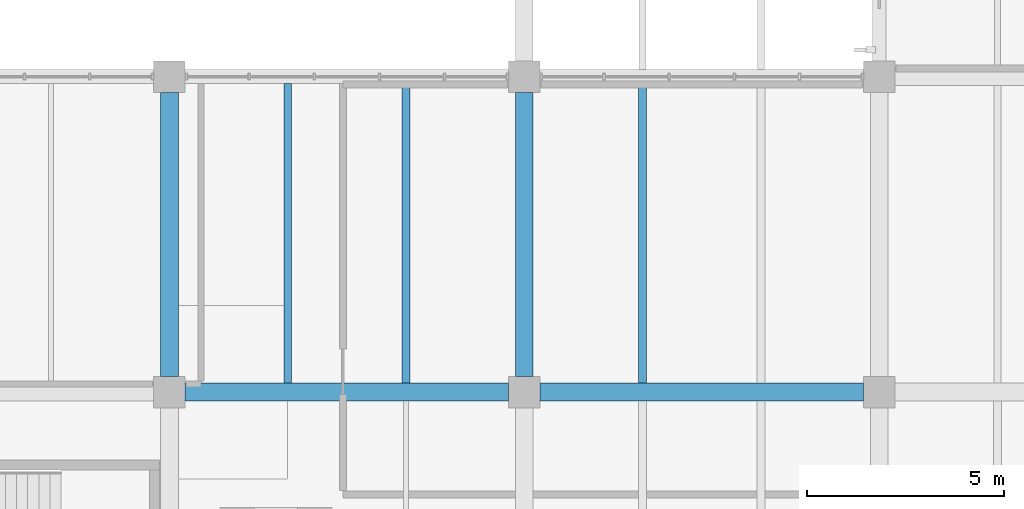
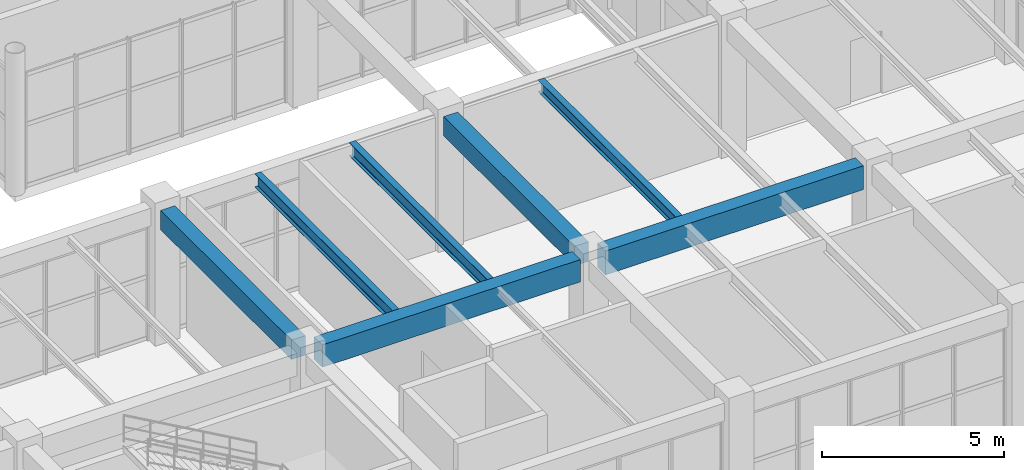
# One storey, part 17 of 178: 7 beams.
"""IFC4 building model written with IfcOpenShell, lengths in metres."""

from ifc_helpers import new_model, si_unit, derived_unit, direction, frame, origin, origin_2d, place, context, subcontext, project, spatial, rectangle, i_section, extrude, material, material_profile, profile_set, type_object, element, save


model = new_model("IFC4")

# Units and contexts
model_context = context("Model", 3, precision=1e-05, world=origin(), true_north=direction((0.0, 1.0)))
body_context = subcontext(model_context, "Body", "Model", "MODEL_VIEW")
ifc_project = project(units=[si_unit("LENGTHUNIT", "METRE"), si_unit("AREAUNIT", "SQUARE_METRE"), si_unit("VOLUMEUNIT", "CUBIC_METRE"), si_unit("PLANEANGLEUNIT", "RADIAN"), si_unit("MASSUNIT", "GRAM", prefix="KILO"), derived_unit("THERMALTRANSMITTANCEUNIT", [(si_unit("MASSUNIT", "GRAM", prefix="KILO"), 1), (si_unit("TIMEUNIT", "SECOND"), -3), (si_unit("THERMODYNAMICTEMPERATUREUNIT", "KELVIN"), -1)])], contexts=[model_context])

# Site, building, storey
site_placement = place(None, origin())
site = spatial("IfcSite", under=ifc_project, at=site_placement, CompositionType="ELEMENT")
building_placement = place(site_placement, origin())
building = spatial("IfcBuilding", under=site, at=building_placement, Name="Zhenchuan Archway Interchange", CompositionType="ELEMENT")
storey_placement = place(building_placement, frame((0.0, 0.0, 5.39990234375)))
storey = spatial("IfcBuildingStorey", under=building, at=storey_placement, Name="L01", CompositionType="ELEMENT", Elevation=5.39990234375)

# Beams
ifc_material_1 = material(Name="Concrete C40", Category="concrete")
ifc_material_profile_1 = material_profile(ifc_material_1, rectangle(XDim=0.449951171875, YDim=0.64990234375, at=origin_2d()), Name="RC 450x650")
ifc_profile_set_1 = profile_set([ifc_material_profile_1], Name="Concrete C40")
beam_type_1 = type_object("IfcBeamType", Name="BM_RC_450x650", PredefinedType="BEAM", material=ifc_profile_set_1)
for number, where, z_axis, x_axis, name in (
    (1, (18.0, 8.39990234375, 4.18505859375), (0.0, 1.0, 0.0), (-1.0, 0.0, 0.0), "Beam 3:B-C (L01)"),
    (2, (27.0, 8.39990234375, 4.18505859375), (0.0, 1.0, 0.0), (-1.0, 0.0, 0.0), "Beam 4:B-C (L01)"),
):
    element("IfcBeam", number, at=place(storey_placement, frame(where, z_axis=z_axis, x_axis=x_axis)), inside=storey, type_object=beam_type_1, Name=name, PredefinedType="BEAM", context=body_context, shape_type="SweptSolid", body=[
        extrude(rectangle(XDim=0.449951171875, YDim=0.64990234375, at=origin_2d()), origin(), (0.0, 0.0, 1.0), 7.2001953125),
    ])
ifc_material_profile_2 = material_profile(ifc_material_1, rectangle(XDim=0.449951171875, YDim=0.75, at=origin_2d()), Name="RC 450x750")
ifc_profile_set_2 = profile_set([ifc_material_profile_2], Name="Concrete C40")
beam_type_2 = type_object("IfcBeamType", Name="BM_RC_450x750", PredefinedType="BEAM", material=ifc_profile_set_2)
beam_1_placement = place(storey_placement, frame((18.39990234375, 8.0, 4.135009765625), z_axis=(1.0, 0.0, 0.0), x_axis=(0.0, 1.0, 0.0)))
element("IfcBeam", 3, at=beam_1_placement, inside=storey, type_object=beam_type_2, Name="Beam B:3-4 (L01)", PredefinedType="BEAM", context=body_context, shape_type="SweptSolid", body=[
    extrude(rectangle(XDim=0.449951171875, YDim=0.75, at=origin_2d()), origin(), (0.0, 0.0, 1.0), 8.2001953125),
])
ifc_material_profile_3 = material_profile(ifc_material_1, rectangle(XDim=0.449951171875, YDim=0.800048828125, at=origin_2d()), Name="RC 450x800")
ifc_profile_set_3 = profile_set([ifc_material_profile_3], Name="Concrete C40")
beam_type_3 = type_object("IfcBeamType", Name="BM_RC_450x800", PredefinedType="BEAM", material=ifc_profile_set_3)
beam_2_placement = place(storey_placement, frame((27.39990234375, 8.0, 4.110107421875), z_axis=(1.0, 0.0, 0.0), x_axis=(0.0, 1.0, 0.0)))
element("IfcBeam", 4, at=beam_2_placement, inside=storey, type_object=beam_type_3, Name="Beam B:4-5 (L01)", PredefinedType="BEAM", context=body_context, shape_type="SweptSolid", body=[
    extrude(rectangle(XDim=0.449951171875, YDim=0.800048828125, at=origin_2d()), origin(), (0.0, 0.0, 1.0), 8.2001953125),
])
ifc_material_2 = material(Name="Steel Q355", Category="steel")
ifc_material_profile_4 = material_profile(ifc_material_2, i_section(OverallWidth=0.199951171875, OverallDepth=0.39990234375, WebThickness=0.008056640625, FlangeThickness=0.012939453125, FilletRadius=0.01611328125, at=origin_2d()), Name="HN 400x200")
ifc_profile_set_4 = profile_set([ifc_material_profile_4], Name="Steel Q355")
beam_type_4 = type_object("IfcBeamType", Name="JST_STL_HN400", PredefinedType="JOIST", material=ifc_profile_set_4)
beam_3_placement = place(storey_placement, frame((30.0, 8.22509765625, 4.31005859375), z_axis=(0.0, 1.0, 0.0), x_axis=(-1.0, 0.0, 0.0)))
element("IfcBeam", 5, at=beam_3_placement, inside=storey, type_object=beam_type_4, Name="Secondary joist 4-5/B-C #1 (L01)", PredefinedType="JOIST", context=body_context, shape_type="SweptSolid", body=[
    extrude(i_section(OverallWidth=0.199951171875, OverallDepth=0.39990234375, WebThickness=0.008056640625, FlangeThickness=0.012939453125, FilletRadius=0.01611328125, at=origin_2d()), origin(), (0.0, 0.0, 1.0), 7.599853515625),
])
ifc_material_profile_5 = material_profile(ifc_material_2, i_section(OverallWidth=0.199951171875, OverallDepth=0.449951171875, WebThickness=0.009033203125, FlangeThickness=0.013916015625, FilletRadius=0.01806640625, at=origin_2d()), Name="HN 450x200")
ifc_profile_set_5 = profile_set([ifc_material_profile_5], Name="Steel Q355")
beam_type_5 = type_object("IfcBeamType", Name="JST_STL_HN450", PredefinedType="JOIST", material=ifc_profile_set_5)
for number, where, z_axis, x_axis, name in (
    (6, (21.0, 8.22509765625, 4.28515625), (0.0, 1.0, 0.0), (-1.0, 0.0, 0.0), "Secondary joist 3-4/B-C #1 (L01)"),
    (7, (24.0, 8.22509765625, 4.28515625), (0.0, 1.0, 0.0), (-1.0, 0.0, 0.0), "Secondary joist 3-4/B-C #2 (L01)"),
):
    element("IfcBeam", number, at=place(storey_placement, frame(where, z_axis=z_axis, x_axis=x_axis)), inside=storey, type_object=beam_type_5, Name=name, PredefinedType="JOIST", context=body_context, shape_type="SweptSolid", body=[
        extrude(i_section(OverallWidth=0.199951171875, OverallDepth=0.449951171875, WebThickness=0.009033203125, FlangeThickness=0.013916015625, FilletRadius=0.01806640625, at=origin_2d()), origin(), (0.0, 0.0, 1.0), 7.599853515625),
    ])

save(model, "model.ifc")
